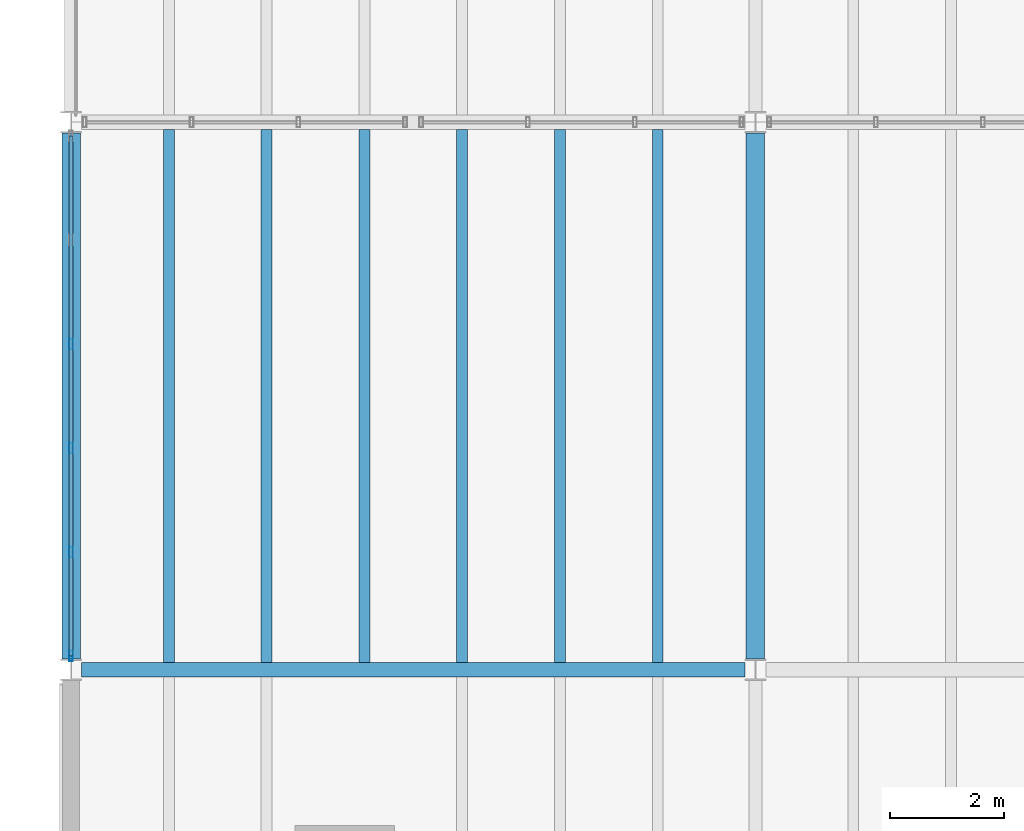
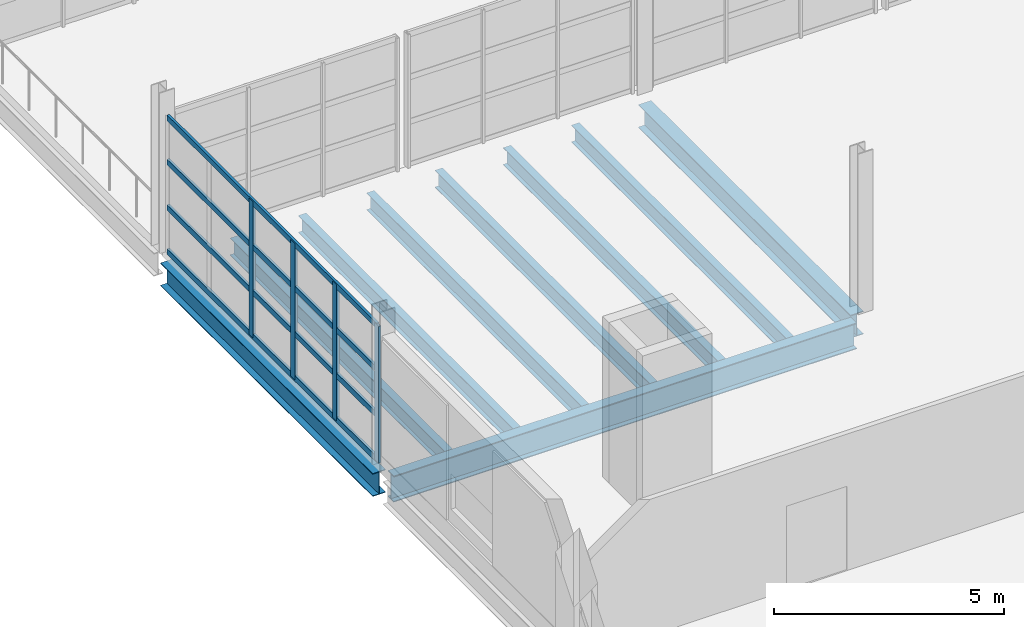
# One storey, part 15 of 114: 9 beams, 8 members, 1 element without a shape of its own.
"""IFC4 building model written with IfcOpenShell, lengths in metres."""

from ifc_helpers import new_model, si_unit, direction, frame, origin, origin_2d, place, context, subcontext, project, spatial, hollow_rectangle, i_section, extrude, material, material_profile, profile_set, type_object, element, aggregate, save


model = new_model("IFC4")

# Units and contexts
model_context = context("Model", 3, precision=1e-05, world=origin(), true_north=direction((0.0, 1.0)))
body_context = subcontext(model_context, "Body", "Model", "MODEL_VIEW")
ifc_project = project(units=[si_unit("LENGTHUNIT", "METRE"), si_unit("AREAUNIT", "SQUARE_METRE"), si_unit("VOLUMEUNIT", "CUBIC_METRE"), si_unit("PLANEANGLEUNIT", "RADIAN"), si_unit("MASSUNIT", "GRAM", prefix="KILO")], contexts=[model_context])

# Site, building, storey
site_placement = place(None, origin())
site = spatial("IfcSite", under=ifc_project, at=site_placement, CompositionType="ELEMENT")
building_placement = place(site_placement, origin())
building = spatial("IfcBuilding", under=site, at=building_placement, Name="Kelmvaro Bay Concert Hall", CompositionType="ELEMENT")
storey_placement = place(building_placement, frame((0.0, 0.0, 4.800048828125)))
storey = spatial("IfcBuildingStorey", under=building, at=storey_placement, Name="L01", CompositionType="ELEMENT", Elevation=4.800048828125)

# Curtain wall, members
ifc_material_1 = material(Name="Anodised Aluminium and Low-E Insulated Glazing", Category="aluminium")
curtain_wall_type = type_object("IfcCurtainWallType", Name="West Link Courtyard Curtain Wall 4000", PredefinedType="USERDEFINED", material=ifc_material_1)
curtain_wall_placement = place(storey_placement, origin())
curtain_wall = element("IfcCurtainWall", 1, at=curtain_wall_placement, inside=storey, type_object=curtain_wall_type, Name="Unitised Curtain Wall CW-L01-132", ObjectType="UNITISED GLAZING", PredefinedType="USERDEFINED")
ifc_material_2 = material(Name="Anodised Extruded Aluminium 6063-T6", Category="aluminium")
ifc_material_profile_1 = material_profile(ifc_material_2, hollow_rectangle(XDim=0.06494140625, YDim=0.179931640625, WallThickness=0.00390625, at=origin_2d()), Name="ALU-MUL-180X65")
ifc_profile_set_1 = profile_set([ifc_material_profile_1], Name="Anodised Extruded Aluminium 6063-T6")
member_type_1 = type_object("IfcMemberType", Name="Curtain Mullion ALU 180x65", PredefinedType="MULLION", material=ifc_profile_set_1)
member_1_placement = place(storey_placement, frame((0.0, 47.6416015625, 0.0), z_axis=(0.0, 0.0, 1.0), x_axis=(1.0, 0.0, 0.0)))
member_1 = element("IfcMember", 2, at=member_1_placement, type_object=member_type_1, Name="CW-L01-132 Mullion 01", PredefinedType="MULLION", context=body_context, shape_type="SweptSolid", body=[
    extrude(hollow_rectangle(XDim=0.06494140625, YDim=0.179931640625, WallThickness=0.00390625, at=origin_2d()), origin(), (0.0, 0.0, 1.0), 3.62890625),
])
member_2_placement = place(storey_placement, frame((0.0, 49.46484375, 0.0), z_axis=(0.0, 0.0, 1.0), x_axis=(1.0, 0.0, 0.0)))
member_2 = element("IfcMember", 3, at=member_2_placement, type_object=member_type_1, Name="CW-L01-132 Mullion 02", PredefinedType="MULLION", context=body_context, shape_type="SweptSolid", body=[
    extrude(hollow_rectangle(XDim=0.06494140625, YDim=0.179931640625, WallThickness=0.00390625, at=origin_2d()), origin(), (0.0, 0.0, 1.0), 3.62890625),
])
member_3_placement = place(storey_placement, frame((0.0, 51.288330078125, 0.0), z_axis=(0.0, 0.0, 1.0), x_axis=(1.0, 0.0, 0.0)))
member_3 = element("IfcMember", 4, at=member_3_placement, type_object=member_type_1, Name="CW-L01-132 Mullion 03", PredefinedType="MULLION", context=body_context, shape_type="SweptSolid", body=[
    extrude(hollow_rectangle(XDim=0.06494140625, YDim=0.179931640625, WallThickness=0.00390625, at=origin_2d()), origin(), (0.0, 0.0, 1.0), 3.62890625),
])
member_4_placement = place(storey_placement, frame((0.0, 53.11181640625, 0.0), z_axis=(0.0, 0.0, 1.0), x_axis=(1.0, 0.0, 0.0)))
member_4 = element("IfcMember", 5, at=member_4_placement, type_object=member_type_1, Name="CW-L01-132 Mullion 04", PredefinedType="MULLION", context=body_context, shape_type="SweptSolid", body=[
    extrude(hollow_rectangle(XDim=0.06494140625, YDim=0.179931640625, WallThickness=0.00390625, at=origin_2d()), origin(), (0.0, 0.0, 1.0), 3.62890625),
])
ifc_material_3 = material(Name="Anodised Extruded Aluminium 6063-T6", Category="aluminium")
ifc_material_profile_2 = material_profile(ifc_material_3, hollow_rectangle(XDim=0.06494140625, YDim=0.14990234375, WallThickness=0.00390625, at=origin_2d()), Name="ALU-TRN-150X65")
ifc_profile_set_2 = profile_set([ifc_material_profile_2], Name="Anodised Extruded Aluminium 6063-T6")
member_type_2 = type_object("IfcMemberType", Name="Curtain Transom ALU 150x65", PredefinedType="USERDEFINED", material=ifc_profile_set_2)
member_5_placement = place(storey_placement, frame((0.0, 47.6416015625, 0.0400390625), z_axis=(0.0, 1.0, 0.0), x_axis=(-1.0, 0.0, 0.0)))
member_5 = element("IfcMember", 6, at=member_5_placement, type_object=member_type_2, Name="CW-L01-132 Transom 01", ObjectType="TRANSOM", PredefinedType="USERDEFINED", context=body_context, shape_type="SweptSolid", body=[
    extrude(hollow_rectangle(XDim=0.06494140625, YDim=0.14990234375, WallThickness=0.00390625, at=origin_2d()), origin(), (0.0, 0.0, 1.0), 9.116943359375),
])
member_6_placement = place(storey_placement, frame((0.0, 47.6416015625, 1.209716796875), z_axis=(0.0, 1.0, 0.0), x_axis=(-1.0, 0.0, 0.0)))
member_6 = element("IfcMember", 7, at=member_6_placement, type_object=member_type_2, Name="CW-L01-132 Transom 02", ObjectType="TRANSOM", PredefinedType="USERDEFINED", context=body_context, shape_type="SweptSolid", body=[
    extrude(hollow_rectangle(XDim=0.06494140625, YDim=0.14990234375, WallThickness=0.00390625, at=origin_2d()), origin(), (0.0, 0.0, 1.0), 9.116943359375),
])
member_7_placement = place(storey_placement, frame((0.0, 47.6416015625, 2.419189453125), z_axis=(0.0, 1.0, 0.0), x_axis=(-1.0, 0.0, 0.0)))
member_7 = element("IfcMember", 8, at=member_7_placement, type_object=member_type_2, Name="CW-L01-132 Transom 03", ObjectType="TRANSOM", PredefinedType="USERDEFINED", context=body_context, shape_type="SweptSolid", body=[
    extrude(hollow_rectangle(XDim=0.06494140625, YDim=0.14990234375, WallThickness=0.00390625, at=origin_2d()), origin(), (0.0, 0.0, 1.0), 9.116943359375),
])
member_8_placement = place(storey_placement, frame((0.0, 47.6416015625, 3.5888671875), z_axis=(0.0, 1.0, 0.0), x_axis=(-1.0, 0.0, 0.0)))
member_8 = element("IfcMember", 9, at=member_8_placement, type_object=member_type_2, Name="CW-L01-132 Transom 04", ObjectType="TRANSOM", PredefinedType="USERDEFINED", context=body_context, shape_type="SweptSolid", body=[
    extrude(hollow_rectangle(XDim=0.06494140625, YDim=0.14990234375, WallThickness=0.00390625, at=origin_2d()), origin(), (0.0, 0.0, 1.0), 9.116943359375),
])
aggregate(curtain_wall, [member_1, member_2, member_3, member_4, member_5, member_6, member_7, member_8])

# Beams
ifc_material_4 = material(Name="Steel ASTM A992 Grade 50", Category="steel")
ifc_material_profile_3 = material_profile(ifc_material_4, i_section(OverallWidth=0.323974609375, OverallDepth=0.611083984375, WebThickness=0.0126953125, FlangeThickness=0.01904296875, at=origin_2d()), Name="W24X104")
ifc_profile_set_3 = profile_set([ifc_material_profile_3], Name="Steel ASTM A992 Grade 50")
beam_type_1 = type_object("IfcBeamType", Name="Foyer Frame Girder W24x104", PredefinedType="BEAM", material=ifc_profile_set_3)
for number, where, z_axis, x_axis, name in (
    (10, (0.0, 47.58642578125, -0.5556640625), (0.0, 1.0, 0.0), (-1.0, 0.0, 0.0), "L01 Girder BM-L01-NS-0121"),
    (11, (12.0, 47.58642578125, -0.5556640625), (0.0, 1.0, 0.0), (-1.0, 0.0, 0.0), "L01 Girder BM-L01-NS-0132"),
):
    element("IfcBeam", number, at=place(storey_placement, frame(where, z_axis=z_axis, x_axis=x_axis)), inside=storey, type_object=beam_type_1, Name=name, PredefinedType="BEAM", context=body_context, shape_type="SweptSolid", body=[
        extrude(i_section(OverallWidth=0.323974609375, OverallDepth=0.611083984375, WebThickness=0.0126953125, FlangeThickness=0.01904296875, at=origin_2d()), origin(), (0.0, 0.0, 1.0), 9.22705078125),
    ])
ifc_material_5 = material(Name="Steel ASTM A992 Grade 50", Category="steel")
ifc_material_profile_4 = material_profile(ifc_material_5, i_section(OverallWidth=0.256103515625, OverallDepth=0.693115234375, WebThickness=0.014404296875, FlangeThickness=0.023681640625, at=origin_2d()), Name="W27X114")
ifc_profile_set_4 = profile_set([ifc_material_profile_4], Name="Steel ASTM A992 Grade 50")
beam_type_2 = type_object("IfcBeamType", Name="Foyer Primary Girder W27x114", PredefinedType="BEAM", material=ifc_profile_set_4)
beam_placement = place(storey_placement, frame((0.1865234375, 47.39990234375, -0.596435546875), z_axis=(1.0, 0.0, 0.0), x_axis=(0.0, 1.0, 0.0)))
element("IfcBeam", 12, at=beam_placement, inside=storey, type_object=beam_type_2, Name="L01 Girder BM-L01-EW-0058", PredefinedType="BEAM", context=body_context, shape_type="SweptSolid", body=[
    extrude(i_section(OverallWidth=0.256103515625, OverallDepth=0.693115234375, WebThickness=0.014404296875, FlangeThickness=0.023681640625, at=origin_2d()), origin(), (0.0, 0.0, 1.0), 11.626953125),
])
ifc_material_6 = material(Name="Steel ASTM A992 Grade 50", Category="steel")
ifc_material_profile_5 = material_profile(ifc_material_6, i_section(OverallWidth=0.19091796875, OverallDepth=0.45703125, WebThickness=0.009033203125, FlangeThickness=0.014404296875, at=origin_2d()), Name="W18X50")
ifc_profile_set_5 = profile_set([ifc_material_profile_5], Name="Steel ASTM A992 Grade 50")
beam_type_3 = type_object("IfcBeamType", Name="Standard Composite Floor Joist W18x50", PredefinedType="JOIST", material=ifc_profile_set_5)
for number, where, z_axis, x_axis, name in (
    (13, (1.71435546875, 47.528076171875, -0.478515625), (0.0, 1.0, 0.0), (-1.0, 0.0, 0.0), "L01 Floor Joist JST-L01-0460"),
    (14, (3.4287109375, 47.528076171875, -0.478515625), (0.0, 1.0, 0.0), (-1.0, 0.0, 0.0), "L01 Floor Joist JST-L01-0461"),
    (15, (5.142822265625, 47.528076171875, -0.478515625), (0.0, 1.0, 0.0), (-1.0, 0.0, 0.0), "L01 Floor Joist JST-L01-0462"),
    (16, (6.857177734375, 47.528076171875, -0.478515625), (0.0, 1.0, 0.0), (-1.0, 0.0, 0.0), "L01 Floor Joist JST-L01-0463"),
    (17, (8.5712890625, 47.528076171875, -0.478515625), (0.0, 1.0, 0.0), (-1.0, 0.0, 0.0), "L01 Floor Joist JST-L01-0464"),
    (18, (10.28564453125, 47.528076171875, -0.478515625), (0.0, 1.0, 0.0), (-1.0, 0.0, 0.0), "L01 Floor Joist JST-L01-0465"),
):
    element("IfcBeam", number, at=place(storey_placement, frame(where, z_axis=z_axis, x_axis=x_axis)), inside=storey, type_object=beam_type_3, Name=name, PredefinedType="JOIST", context=body_context, shape_type="SweptSolid", body=[
        extrude(i_section(OverallWidth=0.19091796875, OverallDepth=0.45703125, WebThickness=0.009033203125, FlangeThickness=0.014404296875, at=origin_2d()), origin(), (0.0, 0.0, 1.0), 9.343994140625),
    ])

save(model, "model.ifc")
